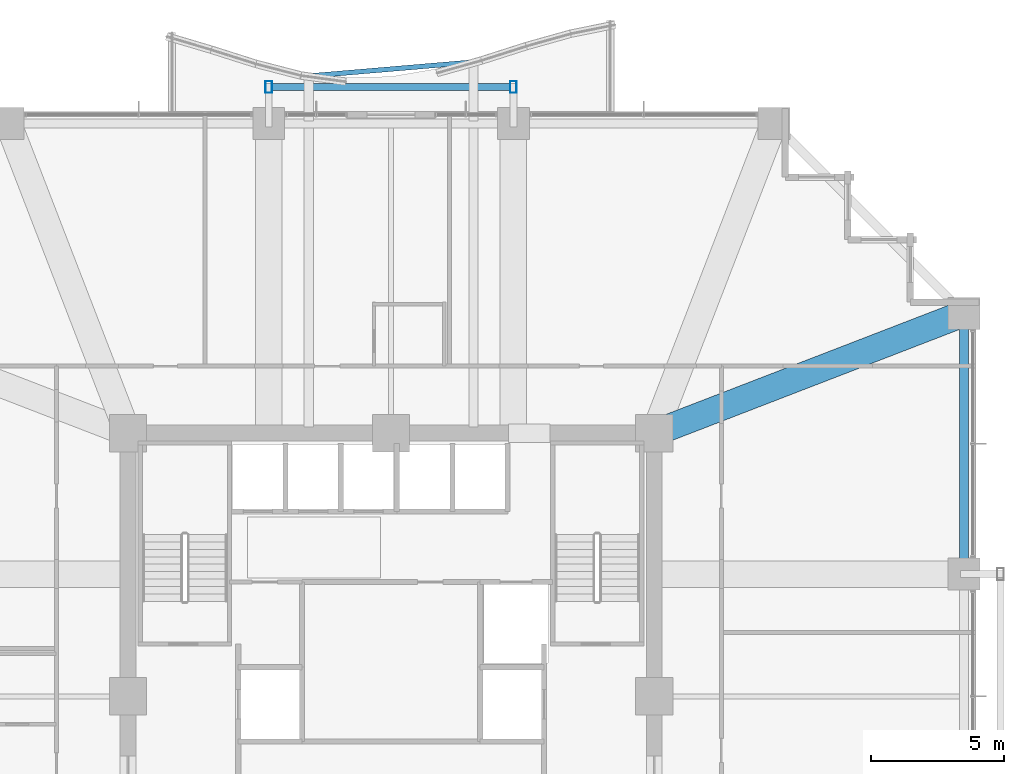
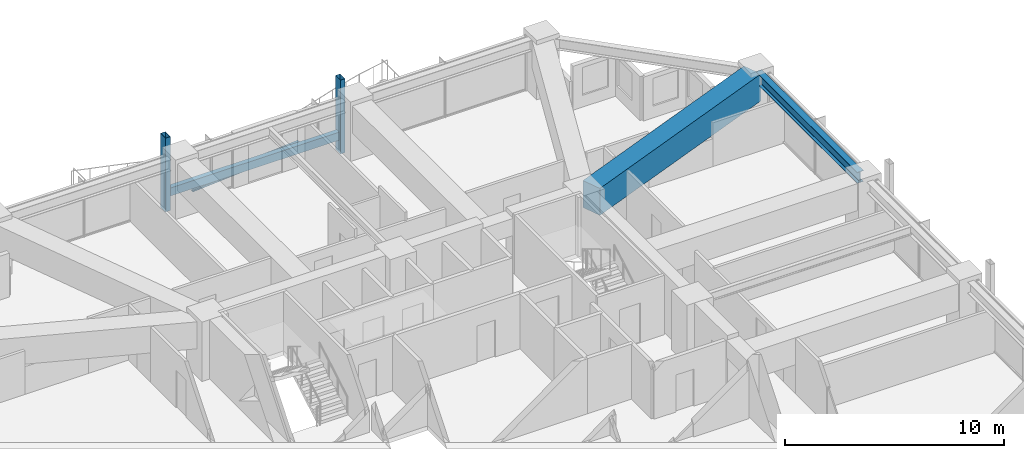
# One storey, part 22 of 37: 3 beams, 3 members.
"""IFC4 building model written with IfcOpenShell, lengths in metres."""

from ifc_helpers import new_model, si_unit, direction, frame, origin, origin_2d, place, context, subcontext, project, spatial, rectangle, hollow_rectangle, i_section, extrude, material, material_profile, profile_set, type_object, element, save


model = new_model("IFC4")

# Units and contexts
model_context = context("Model", 3, precision=1e-05, world=origin(), true_north=direction((0.0, 1.0)))
body_context = subcontext(model_context, "Body", "Model", "MODEL_VIEW")
ifc_project = project(units=[si_unit("LENGTHUNIT", "METRE"), si_unit("AREAUNIT", "SQUARE_METRE"), si_unit("VOLUMEUNIT", "CUBIC_METRE"), si_unit("PLANEANGLEUNIT", "RADIAN"), si_unit("MASSUNIT", "GRAM", prefix="KILO")], contexts=[model_context])

# Site, building, storey
site_placement = place(None, origin())
site = spatial("IfcSite", under=ifc_project, at=site_placement, CompositionType="ELEMENT")
building_placement = place(site_placement, origin())
building = spatial("IfcBuilding", under=site, at=building_placement, Name="Kolvaren Belvedere", CompositionType="ELEMENT")
storey_placement = place(building_placement, frame((0.0, 0.0, 43.60009765625)))
storey = spatial("IfcBuildingStorey", under=building, at=storey_placement, Name="L12", CompositionType="ELEMENT", Elevation=43.60009765625)

# Beams
ifc_material_1 = material(Name="Structural steel ASTM A992 Grade 50", Category="steel")
ifc_material_profile_1 = material_profile(ifc_material_1, i_section(OverallWidth=0.180908203125, OverallDepth=0.4169921875, WebThickness=0.010986328125, FlangeThickness=0.018310546875, FilletRadius=0.013916015625, at=origin_2d()), Name="W16X57")
ifc_profile_set_1 = profile_set([ifc_material_profile_1], Name="Structural steel ASTM A992 Grade 50")
beam_type_1 = type_object("IfcBeamType", Name="BM-EDGE-W16X57", PredefinedType="BEAM", material=ifc_profile_set_1)
beam_1_placement = place(storey_placement, frame((-2.96044921875, 23.34423828125, -0.448486328125), z_axis=(0.996418806389, 0.084555084263, 0.0), x_axis=(-0.084555084263, 0.996418806389, 0.0)))
element("IfcBeam", 1, at=beam_1_placement, inside=storey, type_object=beam_type_1, Name="L12 Balcony Tip Header Beam BAL-N", PredefinedType="BEAM", context=body_context, shape_type="SweptSolid", body=[
    extrude(i_section(OverallWidth=0.180908203125, OverallDepth=0.4169921875, WebThickness=0.010986328125, FlangeThickness=0.018310546875, FilletRadius=0.013916015625, at=origin_2d()), origin(), (0.0, 0.0, 1.0), 5.942138671875),
])
ifc_material_2 = material(Name="Structural steel ASTM A992 Grade 50", Category="steel")
ifc_material_profile_2 = material_profile(ifc_material_2, i_section(OverallWidth=0.324951171875, OverallDepth=0.615966796875, WebThickness=0.013916015625, FlangeThickness=0.021484375, FilletRadius=0.02001953125, at=origin_2d()), Name="W24X117")
ifc_profile_set_2 = profile_set([ifc_material_profile_2], Name="Structural steel ASTM A992 Grade 50")
beam_type_2 = type_object("IfcBeamType", Name="BM-SPAN-W24X117", PredefinedType="SPANDREL", material=ifc_profile_set_2)
beam_2_placement = place(storey_placement, frame((21.550048828125, 4.8701171875, 2.751953125), z_axis=(0.0, 1.0, 0.0), x_axis=(-1.0, 0.0, 0.0)))
element("IfcBeam", 2, at=beam_2_placement, inside=storey, type_object=beam_type_2, Name="L12 Perimeter Spandrel E3-E4", PredefinedType="SPANDREL", context=body_context, shape_type="SweptSolid", body=[
    extrude(i_section(OverallWidth=0.324951171875, OverallDepth=0.615966796875, WebThickness=0.013916015625, FlangeThickness=0.021484375, FilletRadius=0.02001953125, at=origin_2d()), origin(), (0.0, 0.0, 1.0), 9.259765625),
])
ifc_material_3 = material(Name="Concrete C50/60", Category="concrete")
ifc_material_profile_3 = material_profile(ifc_material_3, rectangle(XDim=1.0, YDim=1.5, at=origin_2d()), Name="RC 1000X1500")
ifc_profile_set_3 = profile_set([ifc_material_profile_3], Name="Concrete C50/60")
beam_type_3 = type_object("IfcBeamType", Name="BM-TG-1500", PredefinedType="BEAM", material=ifc_profile_set_3)
beam_3_placement = place(storey_placement, frame((10.4130859375, 10.09814453125, 2.309814453125), z_axis=(0.932829382313, 0.360318391835, 0.0), x_axis=(-0.360318391835, 0.932829382313, 0.0)))
element("IfcBeam", 3, at=beam_3_placement, inside=storey, type_object=beam_type_3, Name="L12 Corner Core-to-Perimeter Girder CC3-E4", PredefinedType="BEAM", context=body_context, shape_type="SweptSolid", body=[
    extrude(rectangle(XDim=1.0, YDim=1.5, at=origin_2d()), origin(), (0.0, 0.0, 1.0), 11.698974609375),
])

# Members
ifc_material_4 = material(Name="Anodised pale-metal aluminium AA 6063-T6", Category="aluminium")
ifc_material_profile_4 = material_profile(ifc_material_4, hollow_rectangle(XDim=0.25, YDim=0.449951171875, WallThickness=0.008544921875, at=origin_2d()), Name="ALU-PF-450X250")
ifc_profile_set_4 = profile_set([ifc_material_profile_4], Name="Anodised pale-metal aluminium AA 6063-T6")
member_type = type_object("IfcMemberType", Name="PF-FRAME-450", PredefinedType="USERDEFINED", material=ifc_profile_set_4)
for number, where, z_axis, x_axis, name in (
    (4, (-4.60009765625, 22.919921875, -0.81005859375), (0.0, 0.0, 1.0), (1.0, 0.0, 0.0), "L12 Outboard Picture-Frame Vertical N1"),
    (5, (4.60009765625, 22.919921875, -0.81005859375), (0.0, 0.0, 1.0), (1.0, 0.0, 0.0), "L12 Outboard Picture-Frame Vertical N2"),
):
    element("IfcMember", number, at=place(storey_placement, frame(where, z_axis=z_axis, x_axis=x_axis)), inside=storey, type_object=member_type, Name=name, ObjectType="PICTURE FRAME FIN", PredefinedType="USERDEFINED", context=body_context, shape_type="SweptSolid", body=[
        extrude(hollow_rectangle(XDim=0.25, YDim=0.449951171875, WallThickness=0.008544921875, at=origin_2d()), origin(), (0.0, 0.0, 1.0), 4.10986328125),
    ])
member_placement = place(storey_placement, frame((-4.60009765625, 22.919921875, 0.1298828125), z_axis=(1.0, 0.0, 0.0), x_axis=(0.0, 1.0, 0.0)))
element("IfcMember", 6, at=member_placement, inside=storey, type_object=member_type, Name="L12 Outboard Picture-Frame Sill N", ObjectType="PICTURE FRAME FIN", PredefinedType="USERDEFINED", context=body_context, shape_type="SweptSolid", body=[
    extrude(hollow_rectangle(XDim=0.25, YDim=0.449951171875, WallThickness=0.008544921875, at=origin_2d()), origin(), (0.0, 0.0, 1.0), 9.2001953125),
])

save(model, "model.ifc")
